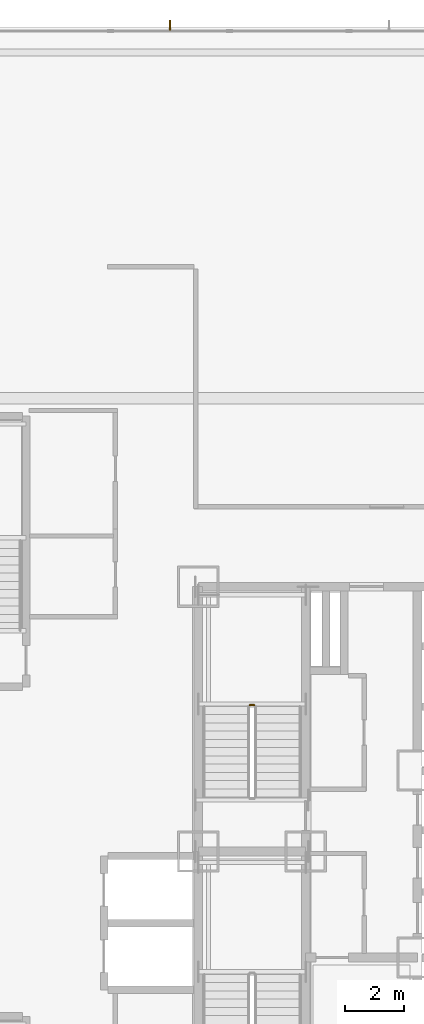
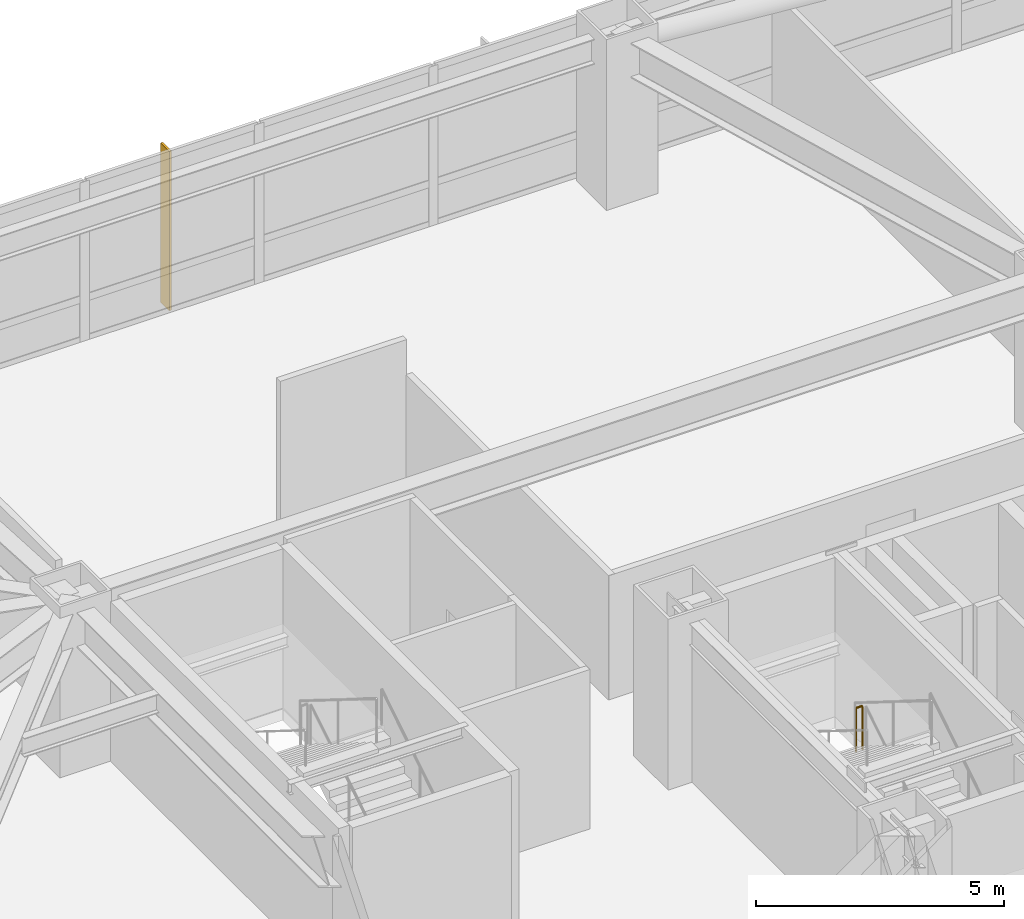
# One storey, part 24 of 25: 1 railing, 1 shading device.
"""IFC4 building model written with IfcOpenShell, lengths in metres."""

from ifc_helpers import new_model, si_unit, direction, frame, origin, origin_2d, place, context, subcontext, project, spatial, rectangle, circle, extrude, material, type_object, element, save


model = new_model("IFC4")

# Units and contexts
model_context = context("Model", 3, precision=1e-05, world=origin(), true_north=direction((0.0, 1.0)))
body_context = subcontext(model_context, "Body", "Model", "MODEL_VIEW")
ifc_project = project(units=[si_unit("LENGTHUNIT", "METRE"), si_unit("AREAUNIT", "SQUARE_METRE"), si_unit("VOLUMEUNIT", "CUBIC_METRE"), si_unit("PLANEANGLEUNIT", "RADIAN"), si_unit("MASSUNIT", "GRAM", prefix="KILO")], contexts=[model_context])

# Site, building, storey
site_placement = place(None, origin())
site = spatial("IfcSite", under=ifc_project, at=site_placement, CompositionType="ELEMENT")
building_placement = place(site_placement, origin())
building = spatial("IfcBuilding", under=site, at=building_placement, Name="Khamvora Tower", CompositionType="ELEMENT")
storey_placement = place(building_placement, frame((0.0, 0.0, 16.199951171875)))
storey = spatial("IfcBuildingStorey", under=building, at=storey_placement, Name="L03", CompositionType="ELEMENT", Elevation=16.199951171875)

# Railing
ifc_material_1 = material(Name="Stainless Steel 316", Category="steel")
railing_type = type_object("IfcRailingType", Name="RAL-STG-1100", PredefinedType="GUARDRAIL", material=ifc_material_1)
railing_placement = place(storey_placement, frame((30.89990234375, 32.97998046875, 2.10009765625)))
element("IfcRailing", 1, at=railing_placement, inside=storey, type_object=railing_type, Name="L03 ST-02 stair guard 2", PredefinedType="GUARDRAIL", context=body_context, shape_type="SweptSolid", body=[
    extrude(circle(Radius=0.02392578125, at=origin_2d()), frame((0.0, 0.0, 1.076171875), z_axis=(-1.0, 0.0, 0.0), x_axis=(0.0, -1.0, 0.0)), (0.0, 0.0, 1.0), 0.14990234375),
    extrude(circle(Radius=0.02099609375, at=origin_2d()), origin(), (0.0, 0.0, 1.0), 1.052001953125),
    extrude(circle(Radius=0.02099609375, at=origin_2d()), frame((-0.14990234375, 0.0, 0.0)), (0.0, 0.0, 1.0), 1.052001953125),
])

# Shading device
ifc_material_2 = material(Name="Anodised Bronze Aluminium 6063-T6", Category="aluminium")
shading_device_type = type_object("IfcShadingDeviceType", Name="SHD-FIN-350", PredefinedType="USERDEFINED", material=ifc_material_2)
shading_device_placement = place(storey_placement, frame((28.0390625, 56.077880859375, 0.0), z_axis=(0.0, 0.0, 1.0), x_axis=(1.0, 0.0, 0.0)))
element("IfcShadingDevice", 2, at=shading_device_placement, inside=storey, type_object=shading_device_type, Name="L03 anodised bronze solar fin 07.03", ObjectType="FIN", PredefinedType="USERDEFINED", context=body_context, shape_type="SweptSolid", body=[
    extrude(rectangle(XDim=0.054931640625, YDim=0.35009765625, at=origin_2d()), origin(), (0.0, 0.0, 1.0), 3.919921875),
])

save(model, "model.ifc")
